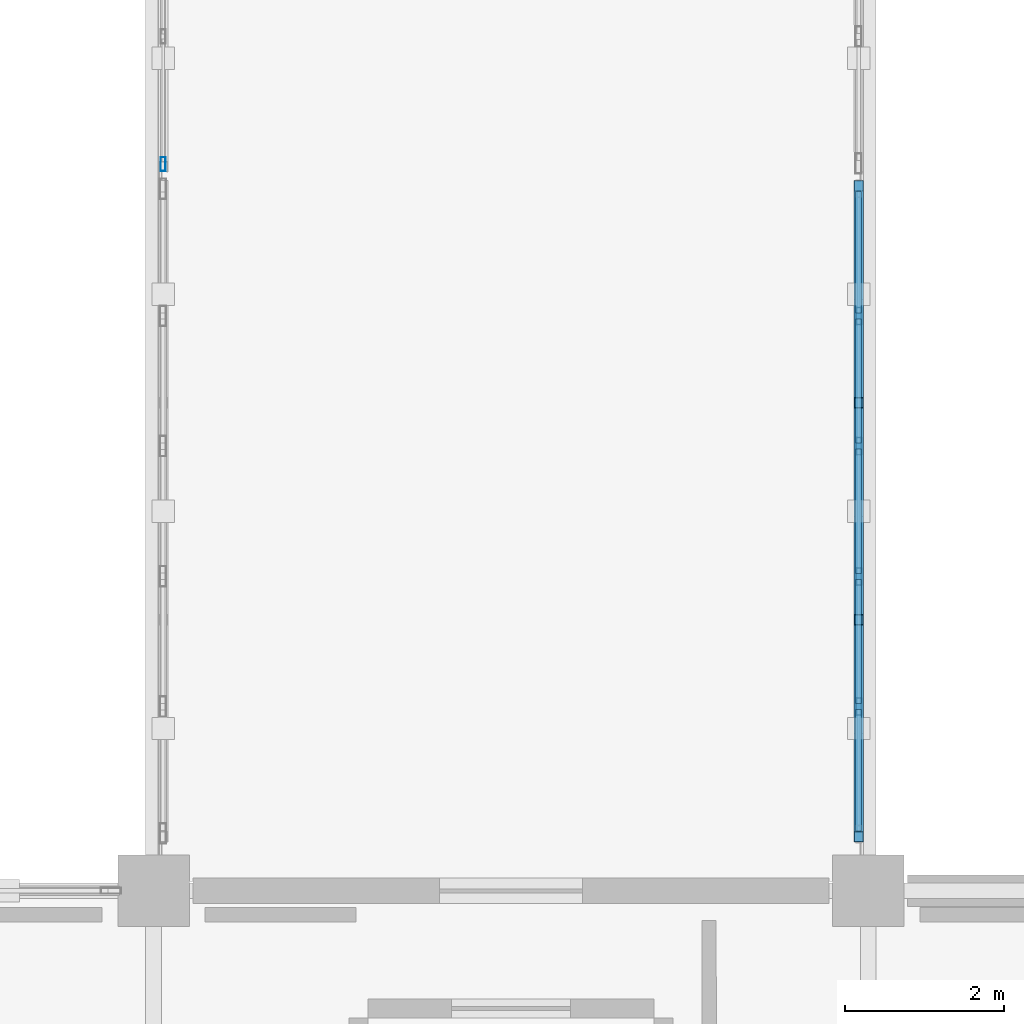
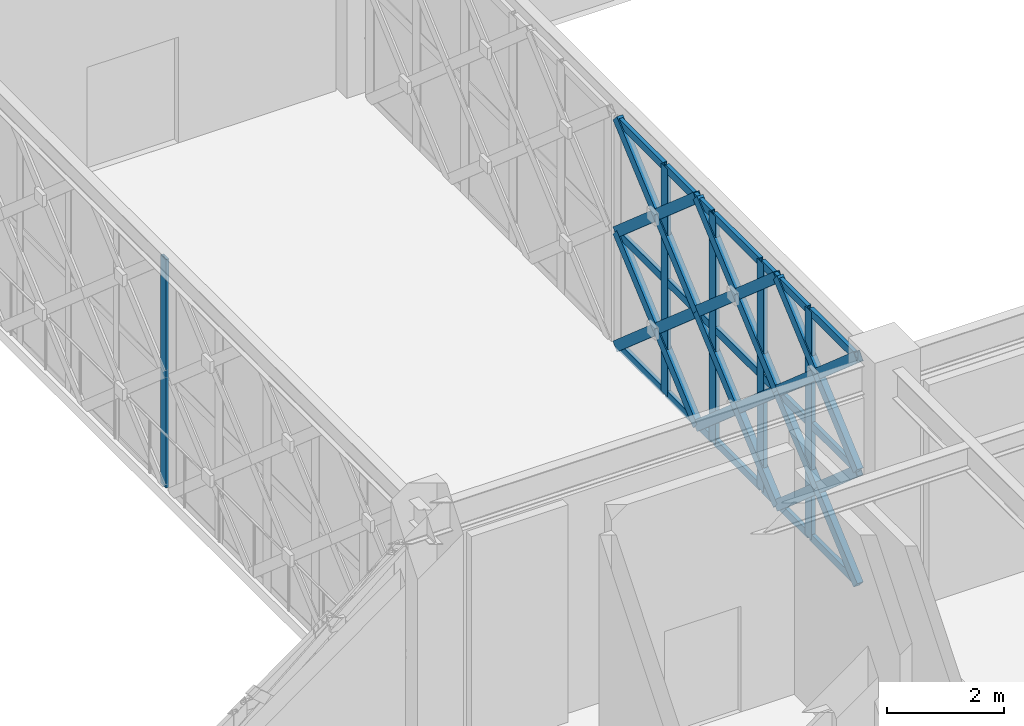
# One storey, part 19 of 166: 38 members, 2 elements without a shape of their own.
"""IFC4 building model written with IfcOpenShell, lengths in metres."""

from ifc_helpers import new_model, si_unit, direction, frame, origin, origin_2d, place, context, subcontext, project, spatial, hollow_rectangle, extrude, material, material_profile, profile_set, type_object, element, aggregate, save


model = new_model("IFC4")

# Units and contexts
model_context = context("Model", 3, precision=1e-05, world=origin(), true_north=direction((0.0, 1.0)))
body_context = subcontext(model_context, "Body", "Model", "MODEL_VIEW")
ifc_project = project(units=[si_unit("LENGTHUNIT", "METRE"), si_unit("AREAUNIT", "SQUARE_METRE"), si_unit("VOLUMEUNIT", "CUBIC_METRE"), si_unit("PLANEANGLEUNIT", "RADIAN"), si_unit("MASSUNIT", "GRAM", prefix="KILO")], contexts=[model_context])

# Site, building, storey
site_placement = place(None, origin())
site = spatial("IfcSite", under=ifc_project, at=site_placement, CompositionType="ELEMENT")
building_placement = place(site_placement, origin())
building = spatial("IfcBuilding", under=site, at=building_placement, Name="Haizhuo Lancet Aquarium", CompositionType="ELEMENT")
storey_placement = place(building_placement, frame((0.0, 0.0, 5.39990234375)))
storey = spatial("IfcBuildingStorey", under=building, at=storey_placement, Name="L01", CompositionType="ELEMENT", Elevation=5.39990234375)

# Curtain wall, member
ifc_material_1 = material(Name="Aluminium 6063-T6", Category="aluminium")
curtain_wall_type = type_object("IfcCurtainWallType", Name="CWO-8200x4750", PredefinedType="NOTDEFINED", material=ifc_material_1)
curtain_wall_1_placement = place(storey_placement, origin())
curtain_wall_1 = element("IfcCurtainWall", 1, at=curtain_wall_1_placement, inside=storey, type_object=curtain_wall_type, Name="L01 curtain wall CW-SB-01-W2", PredefinedType="NOTDEFINED")
ifc_material_profile_1 = material_profile(ifc_material_1, hollow_rectangle(XDim=0.06494140625, YDim=0.179931640625, WallThickness=0.00390625, at=origin_2d()), Name="ALU-M 65x180x4")
ifc_profile_set_1 = profile_set([ifc_material_profile_1], Name="Aluminium 6063-T6")
member_type_1 = type_object("IfcMemberType", Name="CW-MUL-1", PredefinedType="MULLION", material=ifc_profile_set_1)
member_1_placement = place(storey_placement, frame((-62.8798828125, 0.152099609375, 0.0), z_axis=(0.0, 0.0, 1.0), x_axis=(-1.0, 0.0, 0.0)))
member_1 = element("IfcMember", 2, at=member_1_placement, type_object=member_type_1, Name="CWO-82x47 mullion 1", PredefinedType="MULLION", context=body_context, shape_type="SweptSolid", body=[
    extrude(hollow_rectangle(XDim=0.06494140625, YDim=0.179931640625, WallThickness=0.00390625, at=origin_2d()), origin(), (0.0, 0.0, 1.0), 4.75),
])
aggregate(curtain_wall_1, [member_1])

# Curtain wall, members
curtain_wall_2_placement = place(storey_placement, origin())
curtain_wall_2 = element("IfcCurtainWall", 3, at=curtain_wall_2_placement, inside=storey, type_object=curtain_wall_type, Name="L01 curtain wall CW-SB-01-E1", PredefinedType="NOTDEFINED")
ifc_material_profile_2 = material_profile(ifc_material_1, hollow_rectangle(XDim=0.074951171875, YDim=0.219970703125, WallThickness=0.0048828125, at=origin_2d()), Name="ALU-M 75x220x5")
ifc_profile_set_2 = profile_set([ifc_material_profile_2], Name="Aluminium 6063-T6")
member_type_2 = type_object("IfcMemberType", Name="CW-MUL-2", PredefinedType="MULLION", material=ifc_profile_set_2)
member_2_placement = place(storey_placement, frame((-54.1201171875, -1.760009765625, 0.0), z_axis=(0.0, 0.0, 1.0), x_axis=(1.0, 0.0, 0.0)))
member_2 = element("IfcMember", 4, at=member_2_placement, type_object=member_type_2, Name="CWO-82x47 mullion 2", PredefinedType="MULLION", context=body_context, shape_type="SweptSolid", body=[
    extrude(hollow_rectangle(XDim=0.074951171875, YDim=0.219970703125, WallThickness=0.0048828125, at=origin_2d()), origin(), (0.0, 0.0, 1.0), 4.75),
])
member_3_placement = place(storey_placement, frame((-54.1201171875, -3.39990234375, 0.0), z_axis=(0.0, 0.0, 1.0), x_axis=(1.0, 0.0, 0.0)))
member_3 = element("IfcMember", 5, at=member_3_placement, type_object=member_type_2, Name="CWO-82x47 mullion 3", PredefinedType="MULLION", context=body_context, shape_type="SweptSolid", body=[
    extrude(hollow_rectangle(XDim=0.074951171875, YDim=0.219970703125, WallThickness=0.0048828125, at=origin_2d()), origin(), (0.0, 0.0, 1.0), 4.75),
])
member_4_placement = place(storey_placement, frame((-54.1201171875, -5.0400390625, 0.0), z_axis=(0.0, 0.0, 1.0), x_axis=(1.0, 0.0, 0.0)))
member_4 = element("IfcMember", 6, at=member_4_placement, type_object=member_type_2, Name="CWO-82x47 mullion 4", PredefinedType="MULLION", context=body_context, shape_type="SweptSolid", body=[
    extrude(hollow_rectangle(XDim=0.074951171875, YDim=0.219970703125, WallThickness=0.0048828125, at=origin_2d()), origin(), (0.0, 0.0, 1.0), 4.75),
])
member_5_placement = place(storey_placement, frame((-54.1201171875, -6.679931640625, 0.0), z_axis=(0.0, 0.0, 1.0), x_axis=(1.0, 0.0, 0.0)))
member_5 = element("IfcMember", 7, at=member_5_placement, type_object=member_type_2, Name="CWO-82x47 mullion 5", PredefinedType="MULLION", context=body_context, shape_type="SweptSolid", body=[
    extrude(hollow_rectangle(XDim=0.074951171875, YDim=0.219970703125, WallThickness=0.0048828125, at=origin_2d()), origin(), (0.0, 0.0, 1.0), 4.75),
])
ifc_material_profile_3 = material_profile(ifc_material_1, hollow_rectangle(XDim=0.074951171875, YDim=0.159912109375, WallThickness=0.00390625, at=origin_2d()), Name="ALU-T 75x160x4")
ifc_profile_set_3 = profile_set([ifc_material_profile_3], Name="Aluminium 6063-T6")
member_type_3 = type_object("IfcMemberType", Name="CW-TRN-2", PredefinedType="NOTDEFINED", material=ifc_profile_set_3)
member_6_placement = place(storey_placement, frame((-54.1201171875, -0.195068359375, 0.0380859375), z_axis=(0.0, -1.0, 0.0), x_axis=(1.0, 0.0, 0.0)))
member_6 = element("IfcMember", 8, at=member_6_placement, type_object=member_type_3, Name="CWO-82x47 transom 1.1", ObjectType="TRANSOM", PredefinedType="USERDEFINED", context=body_context, shape_type="SweptSolid", body=[
    extrude(hollow_rectangle(XDim=0.074951171875, YDim=0.159912109375, WallThickness=0.00390625, at=origin_2d()), origin(), (0.0, 0.0, 1.0), 1.52783203125),
])
member_7_placement = place(storey_placement, frame((-54.1201171875, -0.195068359375, 2.375), z_axis=(0.0, -1.0, 0.0), x_axis=(1.0, 0.0, 0.0)))
member_7 = element("IfcMember", 9, at=member_7_placement, type_object=member_type_3, Name="CWO-82x47 transom 1.2", ObjectType="TRANSOM", PredefinedType="USERDEFINED", context=body_context, shape_type="SweptSolid", body=[
    extrude(hollow_rectangle(XDim=0.074951171875, YDim=0.159912109375, WallThickness=0.00390625, at=origin_2d()), origin(), (0.0, 0.0, 1.0), 1.52783203125),
])
member_8_placement = place(storey_placement, frame((-54.1201171875, -0.195068359375, 4.713134765625), z_axis=(0.0, -1.0, 0.0), x_axis=(1.0, 0.0, 0.0)))
member_8 = element("IfcMember", 10, at=member_8_placement, type_object=member_type_3, Name="CWO-82x47 transom 1.3", ObjectType="TRANSOM", PredefinedType="USERDEFINED", context=body_context, shape_type="SweptSolid", body=[
    extrude(hollow_rectangle(XDim=0.074951171875, YDim=0.159912109375, WallThickness=0.00390625, at=origin_2d()), origin(), (0.0, 0.0, 1.0), 1.52783203125),
])
member_9_placement = place(storey_placement, frame((-54.1201171875, -1.798095703125, 0.0380859375), z_axis=(0.0, -1.0, 0.0), x_axis=(1.0, 0.0, 0.0)))
member_9 = element("IfcMember", 11, at=member_9_placement, type_object=member_type_3, Name="CWO-82x47 transom 2.1", ObjectType="TRANSOM", PredefinedType="USERDEFINED", context=body_context, shape_type="SweptSolid", body=[
    extrude(hollow_rectangle(XDim=0.074951171875, YDim=0.159912109375, WallThickness=0.00390625, at=origin_2d()), origin(), (0.0, 0.0, 1.0), 1.56494140625),
])
member_10_placement = place(storey_placement, frame((-54.1201171875, -1.798095703125, 2.375), z_axis=(0.0, -1.0, 0.0), x_axis=(1.0, 0.0, 0.0)))
member_10 = element("IfcMember", 12, at=member_10_placement, type_object=member_type_3, Name="CWO-82x47 transom 2.2", ObjectType="TRANSOM", PredefinedType="USERDEFINED", context=body_context, shape_type="SweptSolid", body=[
    extrude(hollow_rectangle(XDim=0.074951171875, YDim=0.159912109375, WallThickness=0.00390625, at=origin_2d()), origin(), (0.0, 0.0, 1.0), 1.56494140625),
])
member_11_placement = place(storey_placement, frame((-54.1201171875, -1.798095703125, 4.713134765625), z_axis=(0.0, -1.0, 0.0), x_axis=(1.0, 0.0, 0.0)))
member_11 = element("IfcMember", 13, at=member_11_placement, type_object=member_type_3, Name="CWO-82x47 transom 2.3", ObjectType="TRANSOM", PredefinedType="USERDEFINED", context=body_context, shape_type="SweptSolid", body=[
    extrude(hollow_rectangle(XDim=0.074951171875, YDim=0.159912109375, WallThickness=0.00390625, at=origin_2d()), origin(), (0.0, 0.0, 1.0), 1.56494140625),
])
member_12_placement = place(storey_placement, frame((-54.1201171875, -3.43798828125, 0.0380859375), z_axis=(0.0, -1.0, 0.0), x_axis=(1.0, 0.0, 0.0)))
member_12 = element("IfcMember", 14, at=member_12_placement, type_object=member_type_3, Name="CWO-82x47 transom 3.1", ObjectType="TRANSOM", PredefinedType="USERDEFINED", context=body_context, shape_type="SweptSolid", body=[
    extrude(hollow_rectangle(XDim=0.074951171875, YDim=0.159912109375, WallThickness=0.00390625, at=origin_2d()), origin(), (0.0, 0.0, 1.0), 1.56494140625),
])
member_13_placement = place(storey_placement, frame((-54.1201171875, -3.43798828125, 2.375), z_axis=(0.0, -1.0, 0.0), x_axis=(1.0, 0.0, 0.0)))
member_13 = element("IfcMember", 15, at=member_13_placement, type_object=member_type_3, Name="CWO-82x47 transom 3.2", ObjectType="TRANSOM", PredefinedType="USERDEFINED", context=body_context, shape_type="SweptSolid", body=[
    extrude(hollow_rectangle(XDim=0.074951171875, YDim=0.159912109375, WallThickness=0.00390625, at=origin_2d()), origin(), (0.0, 0.0, 1.0), 1.56494140625),
])
member_14_placement = place(storey_placement, frame((-54.1201171875, -3.43798828125, 4.713134765625), z_axis=(0.0, -1.0, 0.0), x_axis=(1.0, 0.0, 0.0)))
member_14 = element("IfcMember", 16, at=member_14_placement, type_object=member_type_3, Name="CWO-82x47 transom 3.3", ObjectType="TRANSOM", PredefinedType="USERDEFINED", context=body_context, shape_type="SweptSolid", body=[
    extrude(hollow_rectangle(XDim=0.074951171875, YDim=0.159912109375, WallThickness=0.00390625, at=origin_2d()), origin(), (0.0, 0.0, 1.0), 1.56494140625),
])
member_15_placement = place(storey_placement, frame((-54.1201171875, -5.076904296875, 0.0380859375), z_axis=(0.0, -1.0, 0.0), x_axis=(1.0, 0.0, 0.0)))
member_15 = element("IfcMember", 17, at=member_15_placement, type_object=member_type_3, Name="CWO-82x47 transom 4.1", ObjectType="TRANSOM", PredefinedType="USERDEFINED", context=body_context, shape_type="SweptSolid", body=[
    extrude(hollow_rectangle(XDim=0.074951171875, YDim=0.159912109375, WallThickness=0.00390625, at=origin_2d()), origin(), (0.0, 0.0, 1.0), 1.566162109375),
])
member_16_placement = place(storey_placement, frame((-54.1201171875, -5.076904296875, 2.375), z_axis=(0.0, -1.0, 0.0), x_axis=(1.0, 0.0, 0.0)))
member_16 = element("IfcMember", 18, at=member_16_placement, type_object=member_type_3, Name="CWO-82x47 transom 4.2", ObjectType="TRANSOM", PredefinedType="USERDEFINED", context=body_context, shape_type="SweptSolid", body=[
    extrude(hollow_rectangle(XDim=0.074951171875, YDim=0.159912109375, WallThickness=0.00390625, at=origin_2d()), origin(), (0.0, 0.0, 1.0), 1.566162109375),
])
member_17_placement = place(storey_placement, frame((-54.1201171875, -5.076904296875, 4.713134765625), z_axis=(0.0, -1.0, 0.0), x_axis=(1.0, 0.0, 0.0)))
member_17 = element("IfcMember", 19, at=member_17_placement, type_object=member_type_3, Name="CWO-82x47 transom 4.3", ObjectType="TRANSOM", PredefinedType="USERDEFINED", context=body_context, shape_type="SweptSolid", body=[
    extrude(hollow_rectangle(XDim=0.074951171875, YDim=0.159912109375, WallThickness=0.00390625, at=origin_2d()), origin(), (0.0, 0.0, 1.0), 1.566162109375),
])
member_18_placement = place(storey_placement, frame((-54.1201171875, -6.718017578125, 0.0380859375), z_axis=(0.0, -1.0, 0.0), x_axis=(1.0, 0.0, 0.0)))
member_18 = element("IfcMember", 20, at=member_18_placement, type_object=member_type_3, Name="CWO-82x47 transom 5.1", ObjectType="TRANSOM", PredefinedType="USERDEFINED", context=body_context, shape_type="SweptSolid", body=[
    extrude(hollow_rectangle(XDim=0.074951171875, YDim=0.159912109375, WallThickness=0.00390625, at=origin_2d()), origin(), (0.0, 0.0, 1.0), 1.527099609375),
])
member_19_placement = place(storey_placement, frame((-54.1201171875, -6.718017578125, 2.375), z_axis=(0.0, -1.0, 0.0), x_axis=(1.0, 0.0, 0.0)))
member_19 = element("IfcMember", 21, at=member_19_placement, type_object=member_type_3, Name="CWO-82x47 transom 5.2", ObjectType="TRANSOM", PredefinedType="USERDEFINED", context=body_context, shape_type="SweptSolid", body=[
    extrude(hollow_rectangle(XDim=0.074951171875, YDim=0.159912109375, WallThickness=0.00390625, at=origin_2d()), origin(), (0.0, 0.0, 1.0), 1.527099609375),
])
member_20_placement = place(storey_placement, frame((-54.1201171875, -6.718017578125, 4.713134765625), z_axis=(0.0, -1.0, 0.0), x_axis=(1.0, 0.0, 0.0)))
member_20 = element("IfcMember", 22, at=member_20_placement, type_object=member_type_3, Name="CWO-82x47 transom 5.3", ObjectType="TRANSOM", PredefinedType="USERDEFINED", context=body_context, shape_type="SweptSolid", body=[
    extrude(hollow_rectangle(XDim=0.074951171875, YDim=0.159912109375, WallThickness=0.00390625, at=origin_2d()), origin(), (0.0, 0.0, 1.0), 1.527099609375),
])
aggregate(curtain_wall_2, [member_2, member_3, member_4, member_5, member_6, member_7, member_8, member_9, member_10, member_11, member_12, member_13, member_14, member_15, member_16, member_17, member_18, member_19, member_20])

# Members
ifc_material_2 = material(Name="Steel S355", Category="steel")
ifc_material_profile_4 = material_profile(ifc_material_2, hollow_rectangle(XDim=0.1201171875, YDim=0.199951171875, WallThickness=0.008056640625, at=origin_2d()), Name="RHS 120x200x8")
ifc_profile_set_4 = profile_set([ifc_material_profile_4], Name="Steel S355")
member_type_4 = type_object("IfcMemberType", Name="MEM-LB-RHS120x200", PredefinedType="BRACE", material=ifc_profile_set_4)
member_21_placement = place(storey_placement, frame((-54.1201171875, -0.1201171875, 0.0), z_axis=(0.0, -0.754802912694, 0.655951646837), x_axis=(1.0, 0.0, 0.0)))
element("IfcMember", 23, at=member_21_placement, inside=storey, type_object=member_type_4, Name="Gothic lancet continuous diagonal brace CW-SB-01-E1 1A", PredefinedType="BRACE", context=body_context, shape_type="SweptSolid", body=[
    extrude(hollow_rectangle(XDim=0.1201171875, YDim=0.199951171875, WallThickness=0.008056640625, at=origin_2d()), origin(), (0.0, 0.0, 1.0), 3.62060546875),
])
for number, where, z_axis, x_axis, name in (
    (24, (-54.1201171875, -2.85302734375, 0.0), (0.0, 0.754553258905, 0.656238812839), (-1.0, 0.0, 0.0), "Gothic lancet split diagonal brace CW-SB-01-E1 1B1"),
    (25, (-54.1201171875, -1.487060546875, 1.18798828125), (0.0, 0.755052443892, 0.655664401179), (-1.0, 0.0, 0.0), "Gothic lancet split diagonal brace CW-SB-01-E1 1B2"),
):
    element("IfcMember", number, at=place(storey_placement, frame(where, z_axis=z_axis, x_axis=x_axis)), inside=storey, type_object=member_type_4, Name=name, PredefinedType="BRACE", context=body_context, shape_type="SweptSolid", body=[
        extrude(hollow_rectangle(XDim=0.1201171875, YDim=0.199951171875, WallThickness=0.008056640625, at=origin_2d()), origin(), (0.0, 0.0, 1.0), 1.810302734375),
    ])
member_22_placement = place(storey_placement, frame((-54.1201171875, -0.1201171875, 2.375), z_axis=(0.0, -0.754802912694, 0.655951646837), x_axis=(1.0, 0.0, 0.0)))
element("IfcMember", 26, at=member_22_placement, inside=storey, type_object=member_type_4, Name="Gothic lancet continuous diagonal brace CW-SB-01-E1 2A", PredefinedType="BRACE", context=body_context, shape_type="SweptSolid", body=[
    extrude(hollow_rectangle(XDim=0.1201171875, YDim=0.199951171875, WallThickness=0.008056640625, at=origin_2d()), origin(), (0.0, 0.0, 1.0), 3.62060546875),
])
for number, where, z_axis, x_axis, name in (
    (27, (-54.1201171875, -2.85302734375, 2.375), (0.0, 0.754553258905, 0.656238812839), (-1.0, 0.0, 0.0), "Gothic lancet split diagonal brace CW-SB-01-E1 2B1"),
    (28, (-54.1201171875, -1.487060546875, 3.56298828125), (0.0, 0.755052443892, 0.655664401179), (-1.0, 0.0, 0.0), "Gothic lancet split diagonal brace CW-SB-01-E1 2B2"),
):
    element("IfcMember", number, at=place(storey_placement, frame(where, z_axis=z_axis, x_axis=x_axis)), inside=storey, type_object=member_type_4, Name=name, PredefinedType="BRACE", context=body_context, shape_type="SweptSolid", body=[
        extrude(hollow_rectangle(XDim=0.1201171875, YDim=0.199951171875, WallThickness=0.008056640625, at=origin_2d()), origin(), (0.0, 0.0, 1.0), 1.810302734375),
    ])
member_23_placement = place(storey_placement, frame((-54.1201171875, -2.85302734375, 0.0), z_axis=(0.0, -0.754918929071, 0.655818123058), x_axis=(1.0, 0.0, 0.0)))
element("IfcMember", 29, at=member_23_placement, inside=storey, type_object=member_type_4, Name="Gothic lancet continuous diagonal brace CW-SB-01-E1 3A", PredefinedType="BRACE", context=body_context, shape_type="SweptSolid", body=[
    extrude(hollow_rectangle(XDim=0.1201171875, YDim=0.199951171875, WallThickness=0.008056640625, at=origin_2d()), origin(), (0.0, 0.0, 1.0), 3.621337890625),
])
member_24_placement = place(storey_placement, frame((-54.1201171875, -5.5869140625, 0.0), z_axis=(0.0, 0.754785430186, 0.655971763401), x_axis=(-1.0, 0.0, 0.0)))
element("IfcMember", 30, at=member_24_placement, inside=storey, type_object=member_type_4, Name="Gothic lancet split diagonal brace CW-SB-01-E1 3B1", PredefinedType="BRACE", context=body_context, shape_type="SweptSolid", body=[
    extrude(hollow_rectangle(XDim=0.1201171875, YDim=0.199951171875, WallThickness=0.008056640625, at=origin_2d()), origin(), (0.0, 0.0, 1.0), 1.81103515625),
])
member_25_placement = place(storey_placement, frame((-54.1201171875, -4.219970703125, 1.18798828125), z_axis=(0.0, 0.755052443892, 0.655664401179), x_axis=(-1.0, 0.0, 0.0)))
element("IfcMember", 31, at=member_25_placement, inside=storey, type_object=member_type_4, Name="Gothic lancet split diagonal brace CW-SB-01-E1 3B2", PredefinedType="BRACE", context=body_context, shape_type="SweptSolid", body=[
    extrude(hollow_rectangle(XDim=0.1201171875, YDim=0.199951171875, WallThickness=0.008056640625, at=origin_2d()), origin(), (0.0, 0.0, 1.0), 1.810302734375),
])
member_26_placement = place(storey_placement, frame((-54.1201171875, -2.85302734375, 2.375), z_axis=(0.0, -0.754918929071, 0.655818123058), x_axis=(1.0, 0.0, 0.0)))
element("IfcMember", 32, at=member_26_placement, inside=storey, type_object=member_type_4, Name="Gothic lancet continuous diagonal brace CW-SB-01-E1 4A", PredefinedType="BRACE", context=body_context, shape_type="SweptSolid", body=[
    extrude(hollow_rectangle(XDim=0.1201171875, YDim=0.199951171875, WallThickness=0.008056640625, at=origin_2d()), origin(), (0.0, 0.0, 1.0), 3.621337890625),
])
member_27_placement = place(storey_placement, frame((-54.1201171875, -5.5869140625, 2.375), z_axis=(0.0, 0.754785430186, 0.655971763401), x_axis=(-1.0, 0.0, 0.0)))
element("IfcMember", 33, at=member_27_placement, inside=storey, type_object=member_type_4, Name="Gothic lancet split diagonal brace CW-SB-01-E1 4B1", PredefinedType="BRACE", context=body_context, shape_type="SweptSolid", body=[
    extrude(hollow_rectangle(XDim=0.1201171875, YDim=0.199951171875, WallThickness=0.008056640625, at=origin_2d()), origin(), (0.0, 0.0, 1.0), 1.81103515625),
])
member_28_placement = place(storey_placement, frame((-54.1201171875, -4.219970703125, 3.56298828125), z_axis=(0.0, 0.755052443892, 0.655664401179), x_axis=(-1.0, 0.0, 0.0)))
element("IfcMember", 34, at=member_28_placement, inside=storey, type_object=member_type_4, Name="Gothic lancet split diagonal brace CW-SB-01-E1 4B2", PredefinedType="BRACE", context=body_context, shape_type="SweptSolid", body=[
    extrude(hollow_rectangle(XDim=0.1201171875, YDim=0.199951171875, WallThickness=0.008056640625, at=origin_2d()), origin(), (0.0, 0.0, 1.0), 1.810302734375),
])
member_29_placement = place(storey_placement, frame((-54.1201171875, -5.5869140625, 0.0), z_axis=(0.0, -0.754831923432, 0.655918262719), x_axis=(1.0, 0.0, 0.0)))
element("IfcMember", 35, at=member_29_placement, inside=storey, type_object=member_type_4, Name="Gothic lancet continuous diagonal brace CW-SB-01-E1 5A", PredefinedType="BRACE", context=body_context, shape_type="SweptSolid", body=[
    extrude(hollow_rectangle(XDim=0.1201171875, YDim=0.199951171875, WallThickness=0.008056640625, at=origin_2d()), origin(), (0.0, 0.0, 1.0), 3.620849609375),
])
member_30_placement = place(storey_placement, frame((-54.1201171875, -8.320068359375, 0.0), z_axis=(0.0, 0.754553258905, 0.656238812839), x_axis=(-1.0, 0.0, 0.0)))
element("IfcMember", 36, at=member_30_placement, inside=storey, type_object=member_type_4, Name="Gothic lancet split diagonal brace CW-SB-01-E1 5B1", PredefinedType="BRACE", context=body_context, shape_type="SweptSolid", body=[
    extrude(hollow_rectangle(XDim=0.1201171875, YDim=0.199951171875, WallThickness=0.008056640625, at=origin_2d()), origin(), (0.0, 0.0, 1.0), 1.810302734375),
])
member_31_placement = place(storey_placement, frame((-54.1201171875, -6.9541015625, 1.18798828125), z_axis=(0.0, 0.755110408583, 0.655597644024), x_axis=(-1.0, 0.0, 0.0)))
element("IfcMember", 37, at=member_31_placement, inside=storey, type_object=member_type_4, Name="Gothic lancet split diagonal brace CW-SB-01-E1 5B2", PredefinedType="BRACE", context=body_context, shape_type="SweptSolid", body=[
    extrude(hollow_rectangle(XDim=0.1201171875, YDim=0.199951171875, WallThickness=0.008056640625, at=origin_2d()), origin(), (0.0, 0.0, 1.0), 1.810546875),
])
member_32_placement = place(storey_placement, frame((-54.1201171875, -5.5869140625, 2.375), z_axis=(0.0, -0.754831923432, 0.655918262719), x_axis=(1.0, 0.0, 0.0)))
element("IfcMember", 38, at=member_32_placement, inside=storey, type_object=member_type_4, Name="Gothic lancet continuous diagonal brace CW-SB-01-E1 6A", PredefinedType="BRACE", context=body_context, shape_type="SweptSolid", body=[
    extrude(hollow_rectangle(XDim=0.1201171875, YDim=0.199951171875, WallThickness=0.008056640625, at=origin_2d()), origin(), (0.0, 0.0, 1.0), 3.620849609375),
])
member_33_placement = place(storey_placement, frame((-54.1201171875, -8.320068359375, 2.375), z_axis=(0.0, 0.754553258905, 0.656238812839), x_axis=(-1.0, 0.0, 0.0)))
element("IfcMember", 39, at=member_33_placement, inside=storey, type_object=member_type_4, Name="Gothic lancet split diagonal brace CW-SB-01-E1 6B1", PredefinedType="BRACE", context=body_context, shape_type="SweptSolid", body=[
    extrude(hollow_rectangle(XDim=0.1201171875, YDim=0.199951171875, WallThickness=0.008056640625, at=origin_2d()), origin(), (0.0, 0.0, 1.0), 1.810302734375),
])
member_34_placement = place(storey_placement, frame((-54.1201171875, -6.9541015625, 3.56298828125), z_axis=(0.0, 0.755110408583, 0.655597644024), x_axis=(-1.0, 0.0, 0.0)))
element("IfcMember", 40, at=member_34_placement, inside=storey, type_object=member_type_4, Name="Gothic lancet split diagonal brace CW-SB-01-E1 6B2", PredefinedType="BRACE", context=body_context, shape_type="SweptSolid", body=[
    extrude(hollow_rectangle(XDim=0.1201171875, YDim=0.199951171875, WallThickness=0.008056640625, at=origin_2d()), origin(), (0.0, 0.0, 1.0), 1.810546875),
])

save(model, "model.ifc")
